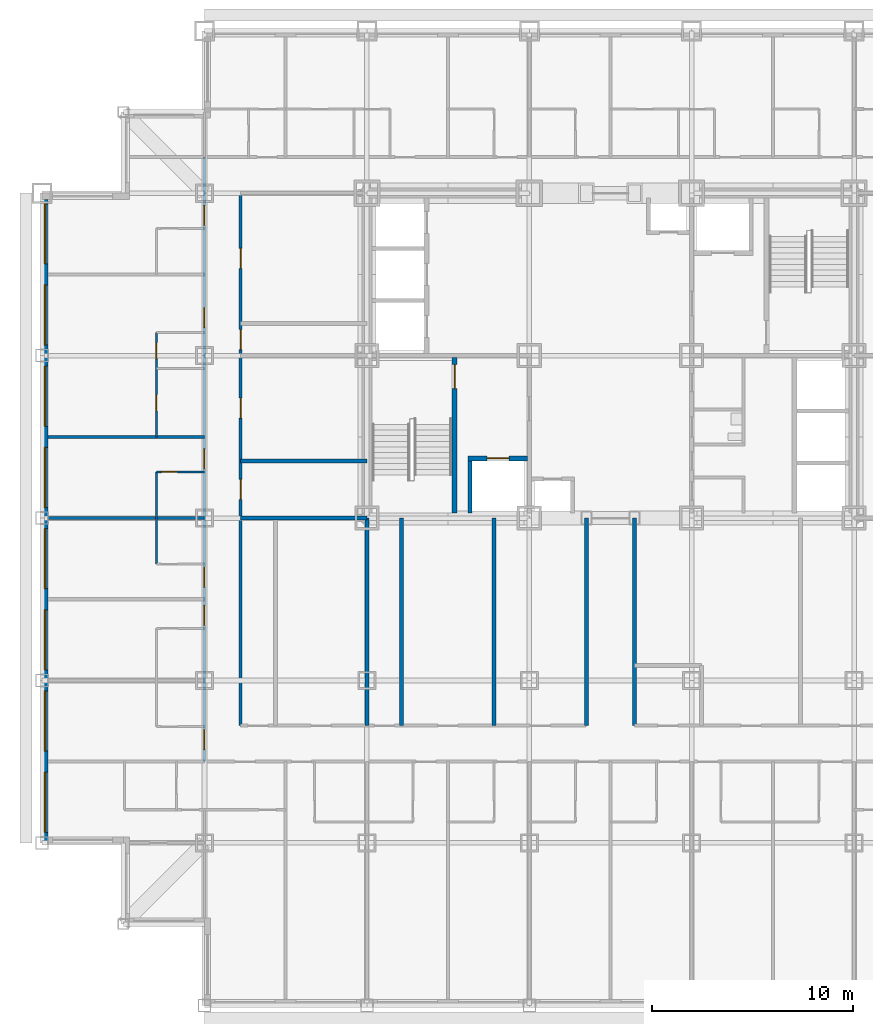
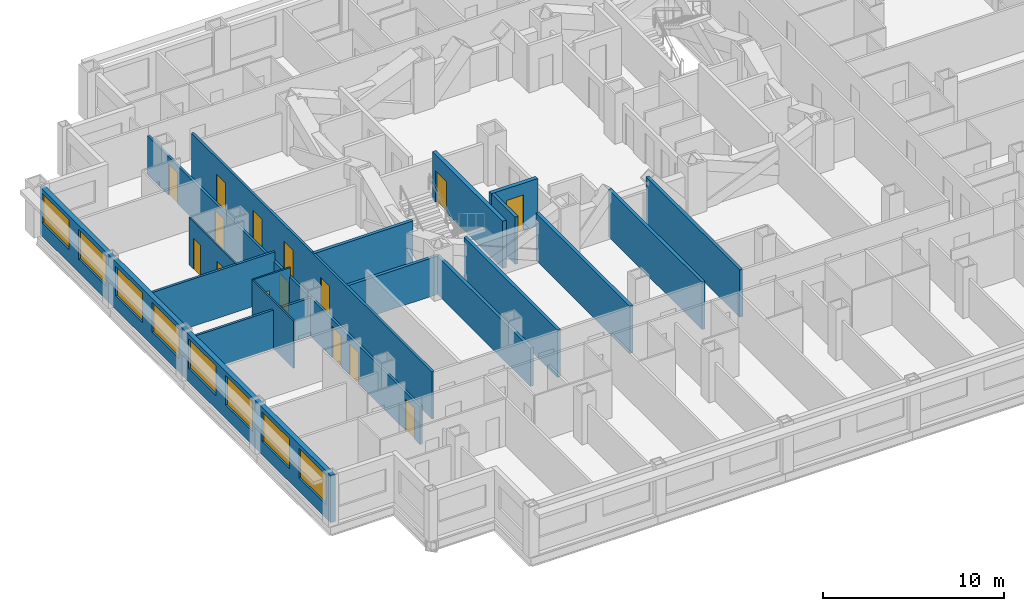
# One storey, part 5 of 13: 18 walls, 15 doors, 8 windows, 23 openings.
"""IFC4 building model written with IfcOpenShell, lengths in metres."""

import ifcopenshell
import ifcopenshell.guid

model = None  # the IFC model being written
_history = None  # IfcOwnerHistory: only IFC2X3 demands one
_inside = {}  # id of a spatial element -> (the spatial element, [elements in it])
_under = {}  # id of a project, library or spatial element -> (it, [spatial elements below it])
_declared = {}  # id of a project -> (the project, [libraries it declares])
_typed = {}  # id of a type object -> (the type object, [elements of that type])
_made_of = {}  # id of a material, layer set ... -> (it, [elements and type objects made of it])


def new_model(schema):
    """Start an empty IFC model of exactly this schema.

    Asked for "IFC4X3", IfcOpenShell would pick the latest addendum, in which some entities
    have other attributes; the version numbers below select the first issue.
    IFC2X3 requires an IfcOwnerHistory on every rooted entity: one is made here for all.
    """
    global model, _history
    if schema == "IFC4X3":
        model = ifcopenshell.file(schema_version=(4, 3, 0, 0))
    else:
        model = ifcopenshell.file(schema=schema)
    _inside.clear()
    _under.clear()
    _declared.clear()
    _typed.clear()
    _made_of.clear()
    _history = None
    if model.schema == "IFC2X3":
        org = make("IfcOrganization", Name="unknown")
        user = make(
            "IfcPersonAndOrganization",
            ThePerson=make("IfcPerson", FamilyName="unknown"),
            TheOrganization=org,
        )
        app = make(
            "IfcApplication",
            ApplicationDeveloper=org,
            Version="unknown",
            ApplicationFullName="unknown",
            ApplicationIdentifier="unknown",
        )
        _history = make(
            "IfcOwnerHistory",
            OwningUser=user,
            OwningApplication=app,
            ChangeAction="ADDED",
            CreationDate=0,
        )
    return model


def make(cls, **values):
    """One entity of the class cls with the attributes given. An attribute that is None is left unset."""
    return model.create_entity(
        cls, **{name: value for name, value in values.items() if value is not None}
    )


def rooted(cls, **values):
    """An entity with a GlobalId (a new one), such as an element, a storey or a relation."""
    return make(cls, GlobalId=ifcopenshell.guid.new(), OwnerHistory=_history, **values)


def si_unit(unit_type, name, prefix=None):
    """IfcSIUnit, for example si_unit("LENGTHUNIT", "METRE", prefix="MILLI")."""
    return make("IfcSIUnit", UnitType=unit_type, Prefix=prefix, Name=name)


def assignment(units):
    """IfcUnitAssignment: the units of a project."""
    return None if units is None else make("IfcUnitAssignment", Units=units)


def point(xyz):
    """IfcCartesianPoint."""
    return None if xyz is None else make("IfcCartesianPoint", Coordinates=xyz)


def direction(xyz):
    """IfcDirection."""
    return None if xyz is None else make("IfcDirection", DirectionRatios=xyz)


def frame(location, z_axis=None, x_axis=None):
    """IfcAxis2Placement3D, a coordinate frame: its origin and axes. An axis left out is left unset."""
    return make(
        "IfcAxis2Placement3D",
        Location=point(location),
        Axis=direction(z_axis),
        RefDirection=direction(x_axis),
    )


def frame_2d(location, x_axis=None):
    """IfcAxis2Placement2D, a coordinate frame in the plane: its origin and x axis."""
    return make(
        "IfcAxis2Placement2D", Location=point(location), RefDirection=direction(x_axis)
    )


def origin():
    """The frame at (0, 0, 0) with its axes left unset."""
    return frame((0.0, 0.0, 0.0))


def place(relative_to, where):
    """IfcLocalPlacement: puts the frame where relative to a parent placement (None: the world)."""
    return make(
        "IfcLocalPlacement", PlacementRelTo=relative_to, RelativePlacement=where
    )


def context(
    kind, dimensions, precision=None, world=None, true_north=None, identifier=None
):
    """IfcGeometricRepresentationContext, for example the 3D "Model" context."""
    return make(
        "IfcGeometricRepresentationContext",
        ContextIdentifier=identifier,
        ContextType=kind,
        CoordinateSpaceDimension=dimensions,
        Precision=precision,
        WorldCoordinateSystem=world,
        TrueNorth=true_north,
    )


def subcontext(parent, identifier, kind, view, scale=None):
    """IfcGeometricRepresentationSubContext, for example "Body" below "Model"."""
    return make(
        "IfcGeometricRepresentationSubContext",
        ContextIdentifier=identifier,
        ContextType=kind,
        ParentContext=parent,
        TargetScale=scale,
        TargetView=view,
    )


def project(units=None, contexts=None):
    """IfcProject with its units and contexts."""
    return rooted(
        "IfcProject",
        Name="project",
        RepresentationContexts=contexts,
        UnitsInContext=assignment(units),
    )


def spatial(cls, under=None, at=None, **own):
    """A site, building, storey or space (cls), placed at a placement, below another one or the project."""
    s = rooted(cls, ObjectPlacement=at, **own)
    if under is not None:
        _under.setdefault(under.id(), (under, []))[1].append(s)
    return s


def profile(cls, at=None, kind="AREA", **sizes):
    """A parametric profile (cls). Its sizes go by their IFC names, for example OverallWidth=200.0."""
    return make(cls, ProfileType=kind, Position=at, **sizes)


def rectangle(**sizes):
    """IfcRectangleProfileDef."""
    return profile("IfcRectangleProfileDef", **sizes)


def extrude(swept, where, along, depth):
    """IfcExtrudedAreaSolid: the profile swept, set in the frame where, extruded along a direction by depth."""
    return make(
        "IfcExtrudedAreaSolid",
        SweptArea=swept,
        Position=where,
        ExtrudedDirection=direction(along),
        Depth=depth,
    )


def shape(context_of_items, identifier, shape_type, items):
    """IfcShapeRepresentation: the items that make up one representation, for example the "Body"."""
    return make(
        "IfcShapeRepresentation",
        ContextOfItems=context_of_items,
        RepresentationIdentifier=identifier,
        RepresentationType=shape_type,
        Items=items,
    )


def material(Name=None, Category=None):
    """IfcMaterial."""
    return make("IfcMaterial", Name=Name, Category=Category)


def layer(
    of_material, thickness, ventilated=None, Name=None, Category=None, Priority=None
):
    """IfcMaterialLayer: one layer of a wall or slab, of a material (None: an air gap)."""
    return make(
        "IfcMaterialLayer",
        Material=of_material,
        LayerThickness=thickness,
        IsVentilated=ventilated,
        Name=Name,
        Category=Category,
        Priority=Priority,
    )


def layer_set(layers, Name=None):
    """IfcMaterialLayerSet."""
    return make("IfcMaterialLayerSet", MaterialLayers=layers, LayerSetName=Name)


def made_of(thing, what):
    """Note that an element or type object is made of a material, layer set ...; save() writes the relation."""
    if what is not None:
        _made_of.setdefault(what.id(), (what, []))[1].append(thing)
    return thing


def type_object(cls, material=None, **own):
    """A type object (cls), such as IfcWallType, which elements share."""
    return made_of(rooted(cls, **own), material)


def element(
    cls,
    number,
    at=None,
    inside=None,
    cuts=None,
    type_object=None,
    material=None,
    context=None,
    identifier="Body",
    shape_type=None,
    held_by="IfcProductDefinitionShape",
    body=None,
    shapes=None,
    **own,
):
    """One element of the class cls, such as IfcWall. Its Tag is "e" and its number.

    at: its placement. inside: the storey or other place that contains it. cuts: it is an
    opening in that element (IfcRelVoidsElement). A single representation is given by context,
    identifier, shape_type and body (its items); several are given by shapes. held_by: the class
    of the entity that holds the representations. save() writes the other relations.
    """
    e = rooted(cls, Tag="e%d" % number, ObjectPlacement=at, **own)
    if body is not None:
        shapes = [shape(context, identifier, shape_type, body)]
    if shapes is not None:
        e.Representation = make(held_by, Representations=shapes)
    if inside is not None:
        _inside.setdefault(inside.id(), (inside, []))[1].append(e)
    if cuts is not None:
        rooted(
            "IfcRelVoidsElement", RelatingBuildingElement=cuts, RelatedOpeningElement=e
        )
    if type_object is not None:
        _typed.setdefault(type_object.id(), (type_object, []))[1].append(e)
    return made_of(e, material)


def fill(opening, filler):
    """IfcRelFillsElement: the door or window that sits in an opening."""
    return rooted(
        "IfcRelFillsElement",
        RelatingOpeningElement=opening,
        RelatedBuildingElement=filler,
    )


def aggregate(whole, parts):
    """IfcRelAggregates: a whole, such as a stair, and the parts it consists of."""
    return rooted("IfcRelAggregates", RelatingObject=whole, RelatedObjects=parts)


def save(model, path):
    """Write the relations noted so far, then the file.

    IfcRelAggregates (storeys below a building ...), IfcRelContainedInSpatialStructure (elements
    in a storey), IfcRelDefinesByType, IfcRelAssociatesMaterial and IfcRelDeclares: one each for
    every whole, place, type object, material and project.
    """
    for whole, parts in _under.values():
        aggregate(whole, parts)
    for where, things in _inside.values():
        rooted(
            "IfcRelContainedInSpatialStructure",
            RelatedElements=things,
            RelatingStructure=where,
        )
    for kind, things in _typed.values():
        rooted("IfcRelDefinesByType", RelatedObjects=things, RelatingType=kind)
    for what, things in _made_of.values():
        rooted("IfcRelAssociatesMaterial", RelatedObjects=things, RelatingMaterial=what)
    for by, libraries in _declared.values():
        rooted("IfcRelDeclares", RelatingContext=by, RelatedDefinitions=libraries)
    model.write(path)


model = new_model("IFC4")

# Units and contexts
model_context = context("Model", 3, precision=1e-05, world=origin(), true_north=direction((0.0, 1.0)))
body_context = subcontext(model_context, "Body", "Model", "MODEL_VIEW")
ifc_project = project(units=[si_unit("LENGTHUNIT", "METRE"), si_unit("AREAUNIT", "SQUARE_METRE"), si_unit("VOLUMEUNIT", "CUBIC_METRE"), si_unit("PLANEANGLEUNIT", "RADIAN"), si_unit("MASSUNIT", "GRAM", prefix="KILO")], contexts=[model_context])

# Site, building, storey
site_placement = place(None, origin())
site = spatial("IfcSite", under=ifc_project, at=site_placement, CompositionType="ELEMENT")
building_placement = place(site_placement, origin())
building = spatial("IfcBuilding", under=site, at=building_placement, Name="Kopane Lantern Tower", CompositionType="ELEMENT")
storey_placement = place(building_placement, frame((0.0, 0.0, 67.0)))
storey = spatial("IfcBuildingStorey", under=building, at=storey_placement, Name="L16", CompositionType="ELEMENT", Elevation=67.0)

# Wall
ifc_material_1 = material(Name="Moisture-resistant board on steel studs", Category="steel")
ifc_layer_1 = layer(ifc_material_1, 0.10009765625)
ifc_layer_set_1 = layer_set([ifc_layer_1], Name="BATHROOM WALL 100")
wall_type_1 = type_object("IfcWallType", Name="BATHROOM WALL 100", PredefinedType="PARTITIONING", material=ifc_layer_set_1)
wall_1_placement = place(storey_placement, frame((5.699951171875, 22.0, 0.0), z_axis=(0.0, 0.0, 1.0), x_axis=(0.0, 1.0, 0.0)))
element("IfcWall", 1, at=wall_1_placement, inside=storey, type_object=wall_type_1, Name="Bathroom Wall 100 L16", PredefinedType="PARTITIONING", context=body_context, shape_type="SweptSolid", body=[
    extrude(rectangle(XDim=4.60009765625, YDim=0.10009765625, at=frame_2d((2.300048828125, 0.0))), origin(), (0.0, 0.0, 1.0), 3.18994140625),
])

# Wall, opening, door
wall_2_placement = place(storey_placement, frame((8.10009765625, 26.60009765625, 0.0), z_axis=(0.0, 0.0, 1.0), x_axis=(-1.0, 0.0, 0.0)))
wall_2 = element("IfcWall", 2, at=wall_2_placement, inside=storey, type_object=wall_type_1, Name="Bathroom Wall 100 L16", PredefinedType="PARTITIONING", context=body_context, shape_type="SweptSolid", body=[
    extrude(rectangle(XDim=2.400146484375, YDim=0.10009765625, at=frame_2d((1.2001953125, 0.0))), origin(), (0.0, 0.0, 1.0), 3.18994140625),
])
opening_1_placement = place(wall_2_placement, frame((1.35009765625, 0.0, 0.0)))
opening_1 = element("IfcOpeningElement", 3, at=opening_1_placement, cuts=wall_2, Name="Opening L16-047", PredefinedType="OPENING", context=body_context, shape_type="SweptSolid", body=[
    extrude(rectangle(XDim=0.800048828125, YDim=2.10009765625, at=frame_2d((0.39990234375, 1.050048828125))), frame((0.0, 0.06005859375, 0.0), z_axis=(0.0, -1.0, 0.0), x_axis=(1.0, 0.0, 0.0)), (0.0, 0.0, 1.0), 0.1201171875),
])
ifc_material_2 = material(Name="Timber door set", Category="wood")
door_type_1 = type_object("IfcDoorType", Name="DOOR D2 800x2100", OperationType="SINGLE_SWING_LEFT", PredefinedType="DOOR", material=ifc_material_2)
door_1_placement = place(opening_1_placement, origin())
door_1 = element("IfcDoor", 4, at=door_1_placement, inside=storey, type_object=door_type_1, Name="Door L16-047", OperationType="SINGLE_SWING_RIGHT", OverallHeight=2.10009765625, OverallWidth=0.800048828125, PredefinedType="DOOR", context=body_context, shape_type="SweptSolid", body=[
    extrude(rectangle(XDim=0.800048828125, YDim=2.10009765625, at=frame_2d((0.39990234375, 1.050048828125))), frame((0.0, 0.02490234375, 0.0), z_axis=(0.0, -1.0, 0.0), x_axis=(1.0, 0.0, 0.0)), (0.0, 0.0, 1.0), 0.050048828125),
])
fill(opening_1, door_1)

# Wall, openings, doors
wall_3_placement = place(storey_placement, frame((5.699951171875, 28.35009765625, 0.0), z_axis=(0.0, 0.0, 1.0), x_axis=(0.0, 1.0, 0.0)))
wall_3 = element("IfcWall", 5, at=wall_3_placement, inside=storey, type_object=wall_type_1, Name="Bathroom Wall 100 L16", PredefinedType="PARTITIONING", context=body_context, shape_type="SweptSolid", body=[
    extrude(rectangle(XDim=5.199951171875, YDim=0.10009765625, at=frame_2d((2.60009765625, 0.0))), origin(), (0.0, 0.0, 1.0), 3.18994140625),
])
opening_2_placement = place(wall_3_placement, frame((1.300048828125, 0.0, 0.0)))
opening_2 = element("IfcOpeningElement", 6, at=opening_2_placement, cuts=wall_3, Name="Opening L16-049", PredefinedType="OPENING", context=body_context, shape_type="SweptSolid", body=[
    extrude(rectangle(XDim=0.800048828125, YDim=2.10009765625, at=frame_2d((0.39990234375, 1.050048828125))), frame((0.0, 0.06005859375, 0.0), z_axis=(0.0, -1.0, 0.0), x_axis=(1.0, 0.0, 0.0)), (0.0, 0.0, 1.0), 0.1201171875),
])
opening_3_placement = place(wall_3_placement, frame((3.89990234375, 0.0, 0.0)))
opening_3 = element("IfcOpeningElement", 7, at=opening_3_placement, cuts=wall_3, Name="Opening L16-050", PredefinedType="OPENING", context=body_context, shape_type="SweptSolid", body=[
    extrude(rectangle(XDim=0.800048828125, YDim=2.10009765625, at=frame_2d((0.39990234375, 1.050048828125))), frame((0.0, 0.06005859375, 0.0), z_axis=(0.0, -1.0, 0.0), x_axis=(1.0, 0.0, 0.0)), (0.0, 0.0, 1.0), 0.1201171875),
])
door_2_placement = place(opening_2_placement, origin())
door_2 = element("IfcDoor", 8, at=door_2_placement, inside=storey, type_object=door_type_1, Name="Door L16-049", OperationType="SINGLE_SWING_LEFT", OverallHeight=2.10009765625, OverallWidth=0.800048828125, PredefinedType="DOOR", context=body_context, shape_type="SweptSolid", body=[
    extrude(rectangle(XDim=0.800048828125, YDim=2.10009765625, at=frame_2d((0.39990234375, 1.050048828125))), frame((0.0, 0.02490234375, 0.0), z_axis=(0.0, -1.0, 0.0), x_axis=(1.0, 0.0, 0.0)), (0.0, 0.0, 1.0), 0.050048828125),
])
fill(opening_2, door_2)
door_3_placement = place(opening_3_placement, origin())
door_3 = element("IfcDoor", 9, at=door_3_placement, inside=storey, type_object=door_type_1, Name="Door L16-050", OperationType="SINGLE_SWING_LEFT", OverallHeight=2.10009765625, OverallWidth=0.800048828125, PredefinedType="DOOR", context=body_context, shape_type="SweptSolid", body=[
    extrude(rectangle(XDim=0.800048828125, YDim=2.10009765625, at=frame_2d((0.39990234375, 1.050048828125))), frame((0.0, 0.02490234375, 0.0), z_axis=(0.0, -1.0, 0.0), x_axis=(1.0, 0.0, 0.0)), (0.0, 0.0, 1.0), 0.050048828125),
])
fill(opening_3, door_3)

# Wall, opening, door
ifc_material_3 = material(Name="Gypsum shaft wall EI 120", Category="gypsum")
ifc_layer_2 = layer(ifc_material_3, 0.25)
ifc_layer_set_2 = layer_set([ifc_layer_2], Name="CORE SHAFT WALL 250 EI 120")
wall_type_2 = type_object("IfcWallType", Name="CORE SHAFT WALL 250 EI 120", PredefinedType="SOLIDWALL", material=ifc_layer_set_2)
wall_4_placement = place(storey_placement, frame((20.574951171875, 24.550048828125, 0.0), z_axis=(0.0, 0.0, 1.0), x_axis=(0.0, 1.0, 0.0)))
wall_4 = element("IfcWall", 10, at=wall_4_placement, inside=storey, type_object=wall_type_2, Name="Core shaft wall L16 XST1", PredefinedType="SOLIDWALL", context=body_context, shape_type="SweptSolid", body=[
    extrude(rectangle(XDim=7.75, YDim=0.25, at=frame_2d((3.875, 0.0))), origin(), (0.0, 0.0, 1.0), 3.18994140625),
])
opening_4_placement = place(wall_4_placement, frame((6.199951171875, 0.0, 0.0)))
opening_4 = element("IfcOpeningElement", 11, at=opening_4_placement, cuts=wall_4, Name="Opening 16.SD1", PredefinedType="OPENING", context=body_context, shape_type="SweptSolid", body=[
    extrude(rectangle(XDim=1.199951171875, YDim=2.10009765625, at=frame_2d((0.60009765625, 1.050048828125))), frame((0.0, 0.135009765625, 0.0), z_axis=(0.0, -1.0, 0.0), x_axis=(1.0, 0.0, 0.0)), (0.0, 0.0, 1.0), 0.27001953125),
])
ifc_material_4 = material(Name="Steel door set", Category="steel")
door_type_2 = type_object("IfcDoorType", Name="STAIR DOOR 1200x2100 FD60S", OperationType="SINGLE_SWING_LEFT", PredefinedType="DOOR", material=ifc_material_4)
door_4_placement = place(opening_4_placement, origin())
door_4 = element("IfcDoor", 12, at=door_4_placement, inside=storey, type_object=door_type_2, Name="Stair door ST1 L16", OperationType="SINGLE_SWING_LEFT", OverallHeight=2.10009765625, OverallWidth=1.199951171875, PredefinedType="DOOR", context=body_context, shape_type="SweptSolid", body=[
    extrude(rectangle(XDim=1.199951171875, YDim=2.10009765625, at=frame_2d((0.60009765625, 1.050048828125))), frame((0.0, 0.02490234375, 0.0), z_axis=(0.0, -1.0, 0.0), x_axis=(1.0, 0.0, 0.0)), (0.0, 0.0, 1.0), 0.050048828125),
])
fill(opening_4, door_4)

wall_5_placement = place(storey_placement, frame((21.25, 27.27490234375, 0.0), z_axis=(0.0, 0.0, 1.0), x_axis=(1.0, 0.0, 0.0)))
wall_5 = element("IfcWall", 13, at=wall_5_placement, inside=storey, type_object=wall_type_2, Name="Core shaft wall L16 YLF1", PredefinedType="SOLIDWALL", context=body_context, shape_type="SweptSolid", body=[
    extrude(rectangle(XDim=2.949951171875, YDim=0.25, at=frame_2d((1.47509765625, 0.0))), origin(), (0.0, 0.0, 1.0), 3.18994140625),
])
opening_5_placement = place(wall_5_placement, frame((0.949951171875, 0.0, 0.0)))
opening_5 = element("IfcOpeningElement", 14, at=opening_5_placement, cuts=wall_5, Name="Opening 16.LD-LF1", PredefinedType="OPENING", context=body_context, shape_type="SweptSolid", body=[
    extrude(rectangle(XDim=1.10009765625, YDim=2.39990234375, at=frame_2d((0.550048828125, 1.199951171875))), frame((0.0, 0.135009765625, 0.0), z_axis=(0.0, -1.0, 0.0), x_axis=(1.0, 0.0, 0.0)), (0.0, 0.0, 1.0), 0.27001953125),
])
ifc_material_5 = material(Name="Steel door set", Category="steel")
door_type_3 = type_object("IfcDoorType", Name="LIFT LANDING DOOR 1100x2400 FD60", OperationType="DOUBLE_DOOR_SLIDING", PredefinedType="DOOR", material=ifc_material_5)
door_5_placement = place(opening_5_placement, origin())
door_5 = element("IfcDoor", 15, at=door_5_placement, inside=storey, type_object=door_type_3, Name="Landing door LF1 L16", OperationType="DOUBLE_DOOR_SLIDING", OverallHeight=2.39990234375, OverallWidth=1.10009765625, PredefinedType="DOOR", context=body_context, shape_type="SweptSolid", body=[
    extrude(rectangle(XDim=1.10009765625, YDim=2.39990234375, at=frame_2d((0.550048828125, 1.199951171875))), frame((0.0, 0.02490234375, 0.0), z_axis=(0.0, -1.0, 0.0), x_axis=(1.0, 0.0, 0.0)), (0.0, 0.0, 1.0), 0.050048828125),
])
fill(opening_5, door_5)

# Wall, openings, doors
ifc_material_6 = material(Name="Gypsum board on steel studs", Category="steel")
ifc_layer_3 = layer(ifc_material_6, 0.14990234375)
ifc_layer_set_3 = layer_set([ifc_layer_3], Name="CORRIDOR WALL 150 EI 60")
wall_type_3 = type_object("IfcWallType", Name="CORRIDOR WALL 150 EI 60", PredefinedType="PARTITIONING", material=ifc_layer_set_3)
wall_6_placement = place(storey_placement, frame((8.10009765625, 12.14990234375, 0.0), z_axis=(0.0, 0.0, 1.0), x_axis=(0.0, 1.0, 0.0)))
wall_6 = element("IfcWall", 16, at=wall_6_placement, inside=storey, type_object=wall_type_3, Name="Corridor Wall 150 Ei 60 L16", PredefinedType="PARTITIONING", context=body_context, shape_type="SweptSolid", body=[
    extrude(rectangle(XDim=30.150146484375, YDim=0.14990234375, at=frame_2d((15.0751953125, 0.0))), origin(), (0.0, 0.0, 1.0), 2.577880859375),
])
opening_6_placement = place(wall_6_placement, frame((0.60009765625, 0.0, 0.0)))
opening_6 = element("IfcOpeningElement", 17, at=opening_6_placement, cuts=wall_6, Name="Opening L16-042", PredefinedType="OPENING", context=body_context, shape_type="SweptSolid", body=[
    extrude(rectangle(XDim=1.0, YDim=2.10009765625, at=frame_2d((0.5, 1.050048828125))), frame((0.0, 0.0849609375, 0.0), z_axis=(0.0, -1.0, 0.0), x_axis=(1.0, 0.0, 0.0)), (0.0, 0.0, 1.0), 0.169921875),
])
opening_7_placement = place(wall_6_placement, frame((6.800048828125, 0.0, 0.0)))
opening_7 = element("IfcOpeningElement", 18, at=opening_7_placement, cuts=wall_6, Name="Opening L16-044", PredefinedType="OPENING", context=body_context, shape_type="SweptSolid", body=[
    extrude(rectangle(XDim=1.0, YDim=2.10009765625, at=frame_2d((0.5, 1.050048828125))), frame((0.0, 0.0849609375, 0.0), z_axis=(0.0, -1.0, 0.0), x_axis=(1.0, 0.0, 0.0)), (0.0, 0.0, 1.0), 0.169921875),
])
opening_8_placement = place(wall_6_placement, frame((8.699951171875, 0.0, 0.0)))
opening_8 = element("IfcOpeningElement", 19, at=opening_8_placement, cuts=wall_6, Name="Opening L16-046", PredefinedType="OPENING", context=body_context, shape_type="SweptSolid", body=[
    extrude(rectangle(XDim=1.0, YDim=2.10009765625, at=frame_2d((0.5, 1.050048828125))), frame((0.0, 0.0849609375, 0.0), z_axis=(0.0, -1.0, 0.0), x_axis=(1.0, 0.0, 0.0)), (0.0, 0.0, 1.0), 0.169921875),
])
opening_9_placement = place(wall_6_placement, frame((14.60009765625, 0.0, 0.0)))
opening_9 = element("IfcOpeningElement", 20, at=opening_9_placement, cuts=wall_6, Name="Opening L16-048", PredefinedType="OPENING", context=body_context, shape_type="SweptSolid", body=[
    extrude(rectangle(XDim=1.0, YDim=2.10009765625, at=frame_2d((0.5, 1.050048828125))), frame((0.0, 0.0849609375, 0.0), z_axis=(0.0, -1.0, 0.0), x_axis=(1.0, 0.0, 0.0)), (0.0, 0.0, 1.0), 0.169921875),
])
opening_10_placement = place(wall_6_placement, frame((21.64990234375, 0.0, 0.0)))
opening_10 = element("IfcOpeningElement", 21, at=opening_10_placement, cuts=wall_6, Name="Opening L16-051", PredefinedType="OPENING", context=body_context, shape_type="SweptSolid", body=[
    extrude(rectangle(XDim=1.0, YDim=2.10009765625, at=frame_2d((0.5, 1.050048828125))), frame((0.0, 0.0849609375, 0.0), z_axis=(0.0, -1.0, 0.0), x_axis=(1.0, 0.0, 0.0)), (0.0, 0.0, 1.0), 0.169921875),
])
opening_11_placement = place(wall_6_placement, frame((26.75, 0.0, 0.0)))
opening_11 = element("IfcOpeningElement", 22, at=opening_11_placement, cuts=wall_6, Name="Opening L16-053", PredefinedType="OPENING", context=body_context, shape_type="SweptSolid", body=[
    extrude(rectangle(XDim=1.0, YDim=2.10009765625, at=frame_2d((0.5, 1.050048828125))), frame((0.0, 0.0849609375, 0.0), z_axis=(0.0, -1.0, 0.0), x_axis=(1.0, 0.0, 0.0)), (0.0, 0.0, 1.0), 0.169921875),
])
ifc_material_7 = material(Name="Steel door set", Category="steel")
door_type_4 = type_object("IfcDoorType", Name="DOOR D1 1000x2100 FD30S", OperationType="SINGLE_SWING_LEFT", PredefinedType="DOOR", material=ifc_material_7)
door_6_placement = place(opening_6_placement, origin())
door_6 = element("IfcDoor", 23, at=door_6_placement, inside=storey, type_object=door_type_4, Name="Door L16-042", OperationType="SINGLE_SWING_RIGHT", OverallHeight=2.10009765625, OverallWidth=1.0, PredefinedType="DOOR", context=body_context, shape_type="SweptSolid", body=[
    extrude(rectangle(XDim=1.0, YDim=2.10009765625, at=frame_2d((0.5, 1.050048828125))), frame((0.0, 0.02490234375, 0.0), z_axis=(0.0, -1.0, 0.0), x_axis=(1.0, 0.0, 0.0)), (0.0, 0.0, 1.0), 0.050048828125),
])
fill(opening_6, door_6)
door_7_placement = place(opening_7_placement, origin())
door_7 = element("IfcDoor", 24, at=door_7_placement, inside=storey, type_object=door_type_4, Name="Door L16-044", OperationType="SINGLE_SWING_LEFT", OverallHeight=2.10009765625, OverallWidth=1.0, PredefinedType="DOOR", context=body_context, shape_type="SweptSolid", body=[
    extrude(rectangle(XDim=1.0, YDim=2.10009765625, at=frame_2d((0.5, 1.050048828125))), frame((0.0, 0.02490234375, 0.0), z_axis=(0.0, -1.0, 0.0), x_axis=(1.0, 0.0, 0.0)), (0.0, 0.0, 1.0), 0.050048828125),
])
fill(opening_7, door_7)
door_8_placement = place(opening_8_placement, origin())
door_8 = element("IfcDoor", 25, at=door_8_placement, inside=storey, type_object=door_type_4, Name="Door L16-046", OperationType="SINGLE_SWING_RIGHT", OverallHeight=2.10009765625, OverallWidth=1.0, PredefinedType="DOOR", context=body_context, shape_type="SweptSolid", body=[
    extrude(rectangle(XDim=1.0, YDim=2.10009765625, at=frame_2d((0.5, 1.050048828125))), frame((0.0, 0.02490234375, 0.0), z_axis=(0.0, -1.0, 0.0), x_axis=(1.0, 0.0, 0.0)), (0.0, 0.0, 1.0), 0.050048828125),
])
fill(opening_8, door_8)
door_9_placement = place(opening_9_placement, origin())
door_9 = element("IfcDoor", 26, at=door_9_placement, inside=storey, type_object=door_type_4, Name="Door L16-048", OperationType="SINGLE_SWING_LEFT", OverallHeight=2.10009765625, OverallWidth=1.0, PredefinedType="DOOR", context=body_context, shape_type="SweptSolid", body=[
    extrude(rectangle(XDim=1.0, YDim=2.10009765625, at=frame_2d((0.5, 1.050048828125))), frame((0.0, 0.02490234375, 0.0), z_axis=(0.0, -1.0, 0.0), x_axis=(1.0, 0.0, 0.0)), (0.0, 0.0, 1.0), 0.050048828125),
])
fill(opening_9, door_9)
door_10_placement = place(opening_10_placement, origin())
door_10 = element("IfcDoor", 27, at=door_10_placement, inside=storey, type_object=door_type_4, Name="Door L16-051", OperationType="SINGLE_SWING_LEFT", OverallHeight=2.10009765625, OverallWidth=1.0, PredefinedType="DOOR", context=body_context, shape_type="SweptSolid", body=[
    extrude(rectangle(XDim=1.0, YDim=2.10009765625, at=frame_2d((0.5, 1.050048828125))), frame((0.0, 0.02490234375, 0.0), z_axis=(0.0, -1.0, 0.0), x_axis=(1.0, 0.0, 0.0)), (0.0, 0.0, 1.0), 0.050048828125),
])
fill(opening_10, door_10)
door_11_placement = place(opening_11_placement, origin())
door_11 = element("IfcDoor", 28, at=door_11_placement, inside=storey, type_object=door_type_4, Name="Door L16-053", OperationType="SINGLE_SWING_LEFT", OverallHeight=2.10009765625, OverallWidth=1.0, PredefinedType="DOOR", context=body_context, shape_type="SweptSolid", body=[
    extrude(rectangle(XDim=1.0, YDim=2.10009765625, at=frame_2d((0.5, 1.050048828125))), frame((0.0, 0.02490234375, 0.0), z_axis=(0.0, -1.0, 0.0), x_axis=(1.0, 0.0, 0.0)), (0.0, 0.0, 1.0), 0.050048828125),
])
fill(opening_11, door_11)

wall_7_placement = place(storey_placement, frame((9.89990234375, 40.5, 0.0), z_axis=(0.0, 0.0, 1.0), x_axis=(0.0, -1.0, 0.0)))
wall_7 = element("IfcWall", 29, at=wall_7_placement, inside=storey, type_object=wall_type_3, Name="Corridor Wall 150 Ei 60 L16", PredefinedType="PARTITIONING", context=body_context, shape_type="SweptSolid", body=[
    extrude(rectangle(XDim=26.550048828125, YDim=0.14990234375, at=frame_2d((13.27490234375, 0.0))), origin(), (0.0, 0.0, 1.0), 3.18994140625),
])
opening_12_placement = place(wall_7_placement, frame((14.271484375, 0.0, 0.0)))
opening_12 = element("IfcOpeningElement", 30, at=opening_12_placement, cuts=wall_7, Name="Opening L16-001", PredefinedType="OPENING", context=body_context, shape_type="SweptSolid", body=[
    extrude(rectangle(XDim=1.0, YDim=2.10009765625, at=frame_2d((0.5, 1.050048828125))), frame((0.0, 0.0849609375, 0.0), z_axis=(0.0, -1.0, 0.0), x_axis=(1.0, 0.0, 0.0)), (0.0, 0.0, 1.0), 0.169921875),
])
opening_13_placement = place(wall_7_placement, frame((10.221435546875, 0.0, 0.0)))
opening_13 = element("IfcOpeningElement", 31, at=opening_13_placement, cuts=wall_7, Name="Opening L16-002", PredefinedType="OPENING", context=body_context, shape_type="SweptSolid", body=[
    extrude(rectangle(XDim=1.0, YDim=2.10009765625, at=frame_2d((0.5, 1.050048828125))), frame((0.0, 0.0849609375, 0.0), z_axis=(0.0, -1.0, 0.0), x_axis=(1.0, 0.0, 0.0)), (0.0, 0.0, 1.0), 0.169921875),
])
opening_14_placement = place(wall_7_placement, frame((6.800048828125, 0.0, 0.0)))
opening_14 = element("IfcOpeningElement", 32, at=opening_14_placement, cuts=wall_7, Name="Opening L16-003", PredefinedType="OPENING", context=body_context, shape_type="SweptSolid", body=[
    extrude(rectangle(XDim=1.0, YDim=2.10009765625, at=frame_2d((0.5, 1.050048828125))), frame((0.0, 0.0849609375, 0.0), z_axis=(0.0, -1.0, 0.0), x_axis=(1.0, 0.0, 0.0)), (0.0, 0.0, 1.0), 0.169921875),
])
opening_15_placement = place(wall_7_placement, frame((2.75, 0.0, 0.0)))
opening_15 = element("IfcOpeningElement", 33, at=opening_15_placement, cuts=wall_7, Name="Opening L16-004", PredefinedType="OPENING", context=body_context, shape_type="SweptSolid", body=[
    extrude(rectangle(XDim=1.0, YDim=2.10009765625, at=frame_2d((0.5, 1.050048828125))), frame((0.0, 0.0849609375, 0.0), z_axis=(0.0, -1.0, 0.0), x_axis=(1.0, 0.0, 0.0)), (0.0, 0.0, 1.0), 0.169921875),
])
ifc_material_8 = material(Name="Steel door set", Category="steel")
door_type_5 = type_object("IfcDoorType", Name="DOOR D5 1000x2100 FD60", OperationType="SINGLE_SWING_LEFT", PredefinedType="DOOR", material=ifc_material_8)
door_12_placement = place(opening_12_placement, origin())
door_12 = element("IfcDoor", 34, at=door_12_placement, inside=storey, type_object=door_type_5, Name="Door L16-001", OperationType="SINGLE_SWING_RIGHT", OverallHeight=2.10009765625, OverallWidth=1.0, PredefinedType="DOOR", context=body_context, shape_type="SweptSolid", body=[
    extrude(rectangle(XDim=1.0, YDim=2.10009765625, at=frame_2d((0.5, 1.050048828125))), frame((0.0, 0.02490234375, 0.0), z_axis=(0.0, -1.0, 0.0), x_axis=(1.0, 0.0, 0.0)), (0.0, 0.0, 1.0), 0.050048828125),
])
fill(opening_12, door_12)
door_13_placement = place(opening_13_placement, origin())
door_13 = element("IfcDoor", 35, at=door_13_placement, inside=storey, type_object=door_type_5, Name="Door L16-002", OperationType="SINGLE_SWING_LEFT", OverallHeight=2.10009765625, OverallWidth=1.0, PredefinedType="DOOR", context=body_context, shape_type="SweptSolid", body=[
    extrude(rectangle(XDim=1.0, YDim=2.10009765625, at=frame_2d((0.5, 1.050048828125))), frame((0.0, 0.02490234375, 0.0), z_axis=(0.0, -1.0, 0.0), x_axis=(1.0, 0.0, 0.0)), (0.0, 0.0, 1.0), 0.050048828125),
])
fill(opening_13, door_13)
door_14_placement = place(opening_14_placement, origin())
door_14 = element("IfcDoor", 36, at=door_14_placement, inside=storey, type_object=door_type_5, Name="Door L16-003", OperationType="SINGLE_SWING_RIGHT", OverallHeight=2.10009765625, OverallWidth=1.0, PredefinedType="DOOR", context=body_context, shape_type="SweptSolid", body=[
    extrude(rectangle(XDim=1.0, YDim=2.10009765625, at=frame_2d((0.5, 1.050048828125))), frame((0.0, 0.02490234375, 0.0), z_axis=(0.0, -1.0, 0.0), x_axis=(1.0, 0.0, 0.0)), (0.0, 0.0, 1.0), 0.050048828125),
])
fill(opening_14, door_14)
door_15_placement = place(opening_15_placement, origin())
door_15 = element("IfcDoor", 37, at=door_15_placement, inside=storey, type_object=door_type_5, Name="Door L16-004", OperationType="SINGLE_SWING_LEFT", OverallHeight=2.10009765625, OverallWidth=1.0, PredefinedType="DOOR", context=body_context, shape_type="SweptSolid", body=[
    extrude(rectangle(XDim=1.0, YDim=2.10009765625, at=frame_2d((0.5, 1.050048828125))), frame((0.0, 0.02490234375, 0.0), z_axis=(0.0, -1.0, 0.0), x_axis=(1.0, 0.0, 0.0)), (0.0, 0.0, 1.0), 0.050048828125),
])
fill(opening_15, door_15)

# Walls
ifc_material_9 = material(Name="Gypsum board on steel studs", Category="steel")
ifc_layer_4 = layer(ifc_material_9, 0.14990234375)
ifc_layer_set_4 = layer_set([ifc_layer_4], Name="DEMISING WALL 150 EI 60")
wall_type_4 = type_object("IfcWallType", Name="DEMISING WALL 150 EI 60", PredefinedType="PARTITIONING", material=ifc_layer_set_4)
wall_8_placement = place(storey_placement, frame((8.10009765625, 24.300048828125, 0.0), z_axis=(0.0, 0.0, 1.0), x_axis=(-1.0, 0.0, 0.0)))
element("IfcWall", 38, at=wall_8_placement, inside=storey, type_object=wall_type_4, Name="Demising Wall 150 Ei 60 L16", PredefinedType="PARTITIONING", context=body_context, shape_type="SweptSolid", body=[
    extrude(rectangle(XDim=7.800048828125, YDim=0.14990234375, at=frame_2d((3.89990234375, 0.0))), origin(), (0.0, 0.0, 1.0), 2.577880859375),
])
wall_9_placement = place(storey_placement, frame((8.10009765625, 28.35009765625, 0.0), z_axis=(0.0, 0.0, 1.0), x_axis=(-1.0, 0.0, 0.0)))
element("IfcWall", 39, at=wall_9_placement, inside=storey, type_object=wall_type_4, Name="Demising Wall 150 Ei 60 L16", PredefinedType="PARTITIONING", context=body_context, shape_type="SweptSolid", body=[
    extrude(rectangle(XDim=7.800048828125, YDim=0.14990234375, at=frame_2d((3.89990234375, 0.0))), origin(), (0.0, 0.0, 1.0), 3.18994140625),
])

# Wall, openings, windows
ifc_material_10 = material(Name="Terracotta rainscreen on light steel framing", Category="masonry")
ifc_layer_5 = layer(ifc_material_10, 0.300048828125)
ifc_layer_set_5 = layer_set([ifc_layer_5], Name="EXTERNAL WALL EW1 300 TERRACOTTA")
wall_type_5 = type_object("IfcWallType", Name="EXTERNAL WALL EW1 300 TERRACOTTA", PredefinedType="SOLIDWALL", material=ifc_layer_set_5)
wall_10_placement = place(storey_placement, frame((0.14990234375, 40.199951171875, 0.0), z_axis=(0.0, 0.0, 1.0), x_axis=(0.0, -1.0, 0.0)))
wall_10 = element("IfcWall", 40, at=wall_10_placement, inside=storey, type_object=wall_type_5, Name="External wall W L16", PredefinedType="SOLIDWALL", context=body_context, shape_type="SweptSolid", body=[
    extrude(rectangle(XDim=32.099853515625, YDim=0.300048828125, at=frame_2d((16.0498046875, 0.0))), origin(), (0.0, 0.0, 1.0), 3.18994140625),
])
opening_16_placement = place(wall_10_placement, frame((0.22509765625, 0.0, 0.89990234375)))
opening_16 = element("IfcOpeningElement", 41, at=opening_16_placement, cuts=wall_10, Name="Opening WR300200", PredefinedType="OPENING", context=body_context, shape_type="SweptSolid", body=[
    extrude(rectangle(XDim=3.0, YDim=2.0, at=frame_2d((1.5, 1.0))), frame((0.0, 0.159912109375, 0.0), z_axis=(0.0, -1.0, 0.0), x_axis=(1.0, 0.0, 0.0)), (0.0, 0.0, 1.0), 0.320068359375),
])
opening_17_placement = place(wall_10_placement, frame((4.27490234375, 0.0, 0.89990234375)))
opening_17 = element("IfcOpeningElement", 42, at=opening_17_placement, cuts=wall_10, Name="Opening WR300200", PredefinedType="OPENING", context=body_context, shape_type="SweptSolid", body=[
    extrude(rectangle(XDim=3.0, YDim=2.0, at=frame_2d((1.5, 1.0))), frame((0.0, 0.159912109375, 0.0), z_axis=(0.0, -1.0, 0.0), x_axis=(1.0, 0.0, 0.0)), (0.0, 0.0, 1.0), 0.320068359375),
])
opening_18_placement = place(wall_10_placement, frame((8.324951171875, 0.0, 0.89990234375)))
opening_18 = element("IfcOpeningElement", 43, at=opening_18_placement, cuts=wall_10, Name="Opening WR300200", PredefinedType="OPENING", context=body_context, shape_type="SweptSolid", body=[
    extrude(rectangle(XDim=3.0, YDim=2.0, at=frame_2d((1.5, 1.0))), frame((0.0, 0.159912109375, 0.0), z_axis=(0.0, -1.0, 0.0), x_axis=(1.0, 0.0, 0.0)), (0.0, 0.0, 1.0), 0.320068359375),
])
opening_19_placement = place(wall_10_placement, frame((12.375, 0.0, 0.89990234375)))
opening_19 = element("IfcOpeningElement", 44, at=opening_19_placement, cuts=wall_10, Name="Opening WR300200", PredefinedType="OPENING", context=body_context, shape_type="SweptSolid", body=[
    extrude(rectangle(XDim=3.0, YDim=2.0, at=frame_2d((1.5, 1.0))), frame((0.0, 0.159912109375, 0.0), z_axis=(0.0, -1.0, 0.0), x_axis=(1.0, 0.0, 0.0)), (0.0, 0.0, 1.0), 0.320068359375),
])
opening_20_placement = place(wall_10_placement, frame((16.425048828125, 0.0, 0.89990234375)))
opening_20 = element("IfcOpeningElement", 45, at=opening_20_placement, cuts=wall_10, Name="Opening WR300200", PredefinedType="OPENING", context=body_context, shape_type="SweptSolid", body=[
    extrude(rectangle(XDim=3.0, YDim=2.0, at=frame_2d((1.5, 1.0))), frame((0.0, 0.159912109375, 0.0), z_axis=(0.0, -1.0, 0.0), x_axis=(1.0, 0.0, 0.0)), (0.0, 0.0, 1.0), 0.320068359375),
])
opening_21_placement = place(wall_10_placement, frame((20.47509765625, 0.0, 0.89990234375)))
opening_21 = element("IfcOpeningElement", 46, at=opening_21_placement, cuts=wall_10, Name="Opening WR300200", PredefinedType="OPENING", context=body_context, shape_type="SweptSolid", body=[
    extrude(rectangle(XDim=3.0, YDim=2.0, at=frame_2d((1.5, 1.0))), frame((0.0, 0.159912109375, 0.0), z_axis=(0.0, -1.0, 0.0), x_axis=(1.0, 0.0, 0.0)), (0.0, 0.0, 1.0), 0.320068359375),
])
opening_22_placement = place(wall_10_placement, frame((24.52490234375, 0.0, 0.89990234375)))
opening_22 = element("IfcOpeningElement", 47, at=opening_22_placement, cuts=wall_10, Name="Opening WR300200", PredefinedType="OPENING", context=body_context, shape_type="SweptSolid", body=[
    extrude(rectangle(XDim=3.0, YDim=2.0, at=frame_2d((1.5, 1.0))), frame((0.0, 0.159912109375, 0.0), z_axis=(0.0, -1.0, 0.0), x_axis=(1.0, 0.0, 0.0)), (0.0, 0.0, 1.0), 0.320068359375),
])
opening_23_placement = place(wall_10_placement, frame((28.574951171875, 0.0, 0.89990234375)))
opening_23 = element("IfcOpeningElement", 48, at=opening_23_placement, cuts=wall_10, Name="Opening WR300200", PredefinedType="OPENING", context=body_context, shape_type="SweptSolid", body=[
    extrude(rectangle(XDim=3.0, YDim=2.0, at=frame_2d((1.5, 1.0))), frame((0.0, 0.159912109375, 0.0), z_axis=(0.0, -1.0, 0.0), x_axis=(1.0, 0.0, 0.0)), (0.0, 0.0, 1.0), 0.320068359375),
])
ifc_material_11 = material(Name="Aluminium and clear glass", Category="aluminium")
window_type = type_object("IfcWindowType", Name="RIBBON WINDOW WR300200 3000x2000", PartitioningType="SINGLE_PANEL", PredefinedType="WINDOW", material=ifc_material_11)
window_1_placement = place(opening_16_placement, origin())
window_1 = element("IfcWindow", 49, at=window_1_placement, inside=storey, type_object=window_type, Name="Window W L16", OverallHeight=2.0, OverallWidth=3.0, PartitioningType="SINGLE_PANEL", PredefinedType="WINDOW", context=body_context, shape_type="SweptSolid", body=[
    extrude(rectangle(XDim=3.0, YDim=2.0, at=frame_2d((1.5, 1.0))), frame((0.0, 0.030029296875, 0.0), z_axis=(0.0, -1.0, 0.0), x_axis=(1.0, 0.0, 0.0)), (0.0, 0.0, 1.0), 0.06005859375),
])
fill(opening_16, window_1)
window_2_placement = place(opening_17_placement, origin())
window_2 = element("IfcWindow", 50, at=window_2_placement, inside=storey, type_object=window_type, Name="Window W L16", OverallHeight=2.0, OverallWidth=3.0, PartitioningType="SINGLE_PANEL", PredefinedType="WINDOW", context=body_context, shape_type="SweptSolid", body=[
    extrude(rectangle(XDim=3.0, YDim=2.0, at=frame_2d((1.5, 1.0))), frame((0.0, 0.030029296875, 0.0), z_axis=(0.0, -1.0, 0.0), x_axis=(1.0, 0.0, 0.0)), (0.0, 0.0, 1.0), 0.06005859375),
])
fill(opening_17, window_2)
window_3_placement = place(opening_18_placement, origin())
window_3 = element("IfcWindow", 51, at=window_3_placement, inside=storey, type_object=window_type, Name="Window W L16", OverallHeight=2.0, OverallWidth=3.0, PartitioningType="SINGLE_PANEL", PredefinedType="WINDOW", context=body_context, shape_type="SweptSolid", body=[
    extrude(rectangle(XDim=3.0, YDim=2.0, at=frame_2d((1.5, 1.0))), frame((0.0, 0.030029296875, 0.0), z_axis=(0.0, -1.0, 0.0), x_axis=(1.0, 0.0, 0.0)), (0.0, 0.0, 1.0), 0.06005859375),
])
fill(opening_18, window_3)
window_4_placement = place(opening_19_placement, origin())
window_4 = element("IfcWindow", 52, at=window_4_placement, inside=storey, type_object=window_type, Name="Window W L16", OverallHeight=2.0, OverallWidth=3.0, PartitioningType="SINGLE_PANEL", PredefinedType="WINDOW", context=body_context, shape_type="SweptSolid", body=[
    extrude(rectangle(XDim=3.0, YDim=2.0, at=frame_2d((1.5, 1.0))), frame((0.0, 0.030029296875, 0.0), z_axis=(0.0, -1.0, 0.0), x_axis=(1.0, 0.0, 0.0)), (0.0, 0.0, 1.0), 0.06005859375),
])
fill(opening_19, window_4)
window_5_placement = place(opening_20_placement, origin())
window_5 = element("IfcWindow", 53, at=window_5_placement, inside=storey, type_object=window_type, Name="Window W L16", OverallHeight=2.0, OverallWidth=3.0, PartitioningType="SINGLE_PANEL", PredefinedType="WINDOW", context=body_context, shape_type="SweptSolid", body=[
    extrude(rectangle(XDim=3.0, YDim=2.0, at=frame_2d((1.5, 1.0))), frame((0.0, 0.030029296875, 0.0), z_axis=(0.0, -1.0, 0.0), x_axis=(1.0, 0.0, 0.0)), (0.0, 0.0, 1.0), 0.06005859375),
])
fill(opening_20, window_5)
window_6_placement = place(opening_21_placement, origin())
window_6 = element("IfcWindow", 54, at=window_6_placement, inside=storey, type_object=window_type, Name="Window W L16", OverallHeight=2.0, OverallWidth=3.0, PartitioningType="SINGLE_PANEL", PredefinedType="WINDOW", context=body_context, shape_type="SweptSolid", body=[
    extrude(rectangle(XDim=3.0, YDim=2.0, at=frame_2d((1.5, 1.0))), frame((0.0, 0.030029296875, 0.0), z_axis=(0.0, -1.0, 0.0), x_axis=(1.0, 0.0, 0.0)), (0.0, 0.0, 1.0), 0.06005859375),
])
fill(opening_21, window_6)
window_7_placement = place(opening_22_placement, origin())
window_7 = element("IfcWindow", 55, at=window_7_placement, inside=storey, type_object=window_type, Name="Window W L16", OverallHeight=2.0, OverallWidth=3.0, PartitioningType="SINGLE_PANEL", PredefinedType="WINDOW", context=body_context, shape_type="SweptSolid", body=[
    extrude(rectangle(XDim=3.0, YDim=2.0, at=frame_2d((1.5, 1.0))), frame((0.0, 0.030029296875, 0.0), z_axis=(0.0, -1.0, 0.0), x_axis=(1.0, 0.0, 0.0)), (0.0, 0.0, 1.0), 0.06005859375),
])
fill(opening_22, window_7)
window_8_placement = place(opening_23_placement, origin())
window_8 = element("IfcWindow", 56, at=window_8_placement, inside=storey, type_object=window_type, Name="Window W L16", OverallHeight=2.0, OverallWidth=3.0, PartitioningType="SINGLE_PANEL", PredefinedType="WINDOW", context=body_context, shape_type="SweptSolid", body=[
    extrude(rectangle(XDim=3.0, YDim=2.0, at=frame_2d((1.5, 1.0))), frame((0.0, 0.030029296875, 0.0), z_axis=(0.0, -1.0, 0.0), x_axis=(1.0, 0.0, 0.0)), (0.0, 0.0, 1.0), 0.06005859375),
])
fill(opening_23, window_8)

# Walls
ifc_material_12 = material(Name="Concrete masonry", Category="masonry")
ifc_layer_6 = layer(ifc_material_12, 0.199951171875)
ifc_layer_set_6 = layer_set([ifc_layer_6], Name="PLANT ROOM WALL 200 EI 120")
wall_type_6 = type_object("IfcWallType", Name="PLANT ROOM WALL 200 EI 120", PredefinedType="SOLIDWALL", material=ifc_layer_set_6)
wall_11_placement = place(storey_placement, frame((9.89990234375, 27.156982421875, 0.0), z_axis=(0.0, 0.0, 1.0), x_axis=(1.0, 0.0, 0.0)))
element("IfcWall", 57, at=wall_11_placement, inside=storey, type_object=wall_type_6, Name="Plant Room Wall 200 Ei 120 L16", PredefinedType="SOLIDWALL", context=body_context, shape_type="SweptSolid", body=[
    extrude(rectangle(XDim=6.300048828125, YDim=0.199951171875, at=frame_2d((3.14990234375, 0.0))), origin(), (0.0, 0.0, 1.0), 3.18994140625),
])
wall_12_placement = place(storey_placement, frame((16.199951171875, 13.949951171875, 0.0), z_axis=(0.0, 0.0, 1.0), x_axis=(0.0, 1.0, 0.0)))
element("IfcWall", 58, at=wall_12_placement, inside=storey, type_object=wall_type_6, Name="Plant Room Wall 200 Ei 120 L16", PredefinedType="SOLIDWALL", context=body_context, shape_type="SweptSolid", body=[
    extrude(rectangle(XDim=10.35009765625, YDim=0.199951171875, at=frame_2d((5.175048828125, 0.0))), origin(), (0.0, 0.0, 1.0), 2.577880859375),
])
for number, where, z_axis, x_axis, name in (
    (59, (17.939208984375, 13.949951171875, 0.0), (0.0, 0.0, 1.0), (0.0, 1.0, 0.0), "Plant Room Wall 200 Ei 120 L16"),
    (60, (22.544677734375, 13.949951171875, 0.0), (0.0, 0.0, 1.0), (0.0, 1.0, 0.0), "Plant Room Wall 200 Ei 120 L16"),
    (61, (27.14990234375, 13.949951171875, 0.0), (0.0, 0.0, 1.0), (0.0, 1.0, 0.0), "Plant Room Wall 200 Ei 120 L16"),
    (62, (29.550048828125, 13.949951171875, 0.0), (0.0, 0.0, 1.0), (0.0, 1.0, 0.0), "Plant Room Wall 200 Ei 120 L16"),
):
    element("IfcWall", number, at=place(storey_placement, frame(where, z_axis=z_axis, x_axis=x_axis)), inside=storey, type_object=wall_type_6, Name=name, PredefinedType="SOLIDWALL", context=body_context, shape_type="SweptSolid", body=[
        extrude(rectangle(XDim=10.35009765625, YDim=0.199951171875, at=frame_2d((5.175048828125, 0.0))), origin(), (0.0, 0.0, 1.0), 3.18994140625),
    ])
wall_13_placement = place(storey_placement, frame((9.89990234375, 24.300048828125, 0.0), z_axis=(0.0, 0.0, 1.0), x_axis=(1.0, 0.0, 0.0)))
element("IfcWall", 63, at=wall_13_placement, inside=storey, type_object=wall_type_6, Name="Plant Room Wall 200 Ei 120 L16", PredefinedType="SOLIDWALL", context=body_context, shape_type="SweptSolid", body=[
    extrude(rectangle(XDim=6.300048828125, YDim=0.199951171875, at=frame_2d((3.14990234375, 0.0))), origin(), (0.0, 0.0, 1.0), 2.577880859375),
])
ifc_material_13 = material(Name="Gypsum shaft wall EI 120", Category="gypsum")
ifc_layer_7 = layer(ifc_material_13, 0.199951171875)
ifc_layer_set_7 = layer_set([ifc_layer_7], Name="SHAFT WALL 200 EI 120")
wall_type_7 = type_object("IfcWallType", Name="SHAFT WALL 200 EI 120", PredefinedType="SOLIDWALL", material=ifc_layer_set_7)
wall_14_placement = place(storey_placement, frame((21.35009765625, 24.550048828125, 0.0), z_axis=(0.0, 0.0, 1.0), x_axis=(0.0, 1.0, 0.0)))
element("IfcWall", 64, at=wall_14_placement, inside=storey, type_object=wall_type_7, Name="Core shaft wall L16 XLF1", PredefinedType="SOLIDWALL", context=body_context, shape_type="SweptSolid", body=[
    extrude(rectangle(XDim=2.599853515625, YDim=0.199951171875, at=frame_2d((1.2998046875, 0.0))), origin(), (0.0, 0.0, 1.0), 3.18994140625),
])

save(model, "model.ifc")
